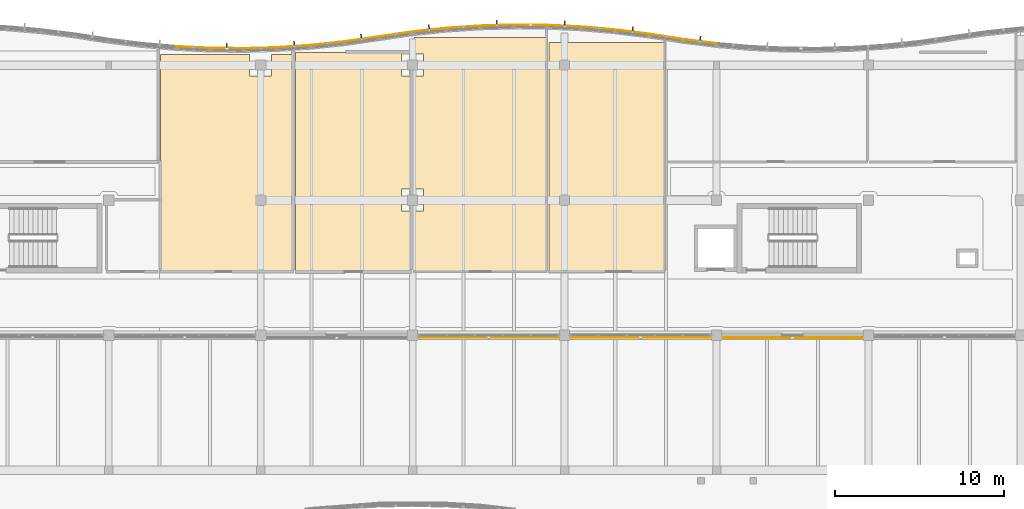
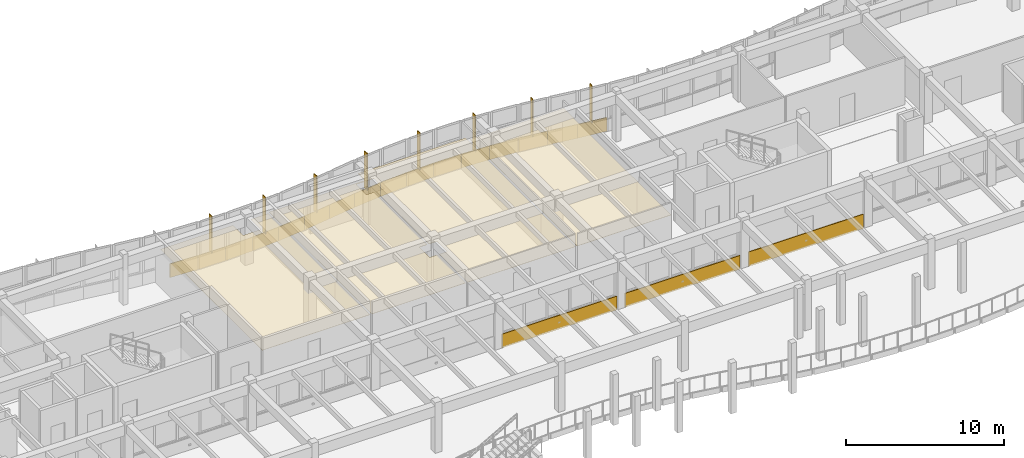
# One storey, part 84 of 89: 23 coverings, 8 shading devices.
"""IFC4 building model written with IfcOpenShell, lengths in metres."""

from ifc_helpers import new_model, si_unit, direction, frame, origin, origin_2d, place, context, subcontext, project, spatial, polyline, rectangle, outline, extrude, material, layer, layer_set, type_object, element, save


model = new_model("IFC4")

# Units and contexts
model_context = context("Model", 3, precision=1e-05, world=origin(), true_north=direction((0.0, 1.0)))
body_context = subcontext(model_context, "Body", "Model", "MODEL_VIEW")
ifc_project = project(units=[si_unit("LENGTHUNIT", "METRE"), si_unit("AREAUNIT", "SQUARE_METRE"), si_unit("VOLUMEUNIT", "CUBIC_METRE"), si_unit("PLANEANGLEUNIT", "RADIAN"), si_unit("MASSUNIT", "GRAM", prefix="KILO")], contexts=[model_context])

# Site, building, storey
site_placement = place(None, origin())
site = spatial("IfcSite", under=ifc_project, at=site_placement, CompositionType="ELEMENT")
building_placement = place(site_placement, origin())
building = spatial("IfcBuilding", under=site, at=building_placement, Name="Tonlespit Floodbar School", CompositionType="ELEMENT")
storey_placement = place(building_placement, frame((0.0, 0.0, 4.5)))
storey = spatial("IfcBuildingStorey", under=building, at=storey_placement, Name="L01", CompositionType="ELEMENT", Elevation=4.5)

# Coverings
ifc_material_1 = material(Name="Acoustic Mineral Tile")
ifc_layer_1 = layer(ifc_material_1, 0.02001953125)
ifc_layer_set_1 = layer_set([ifc_layer_1], Name="Acoustic Mineral Tile")
covering_type_1 = type_object("IfcCoveringType", Name="Ceiling_Acoustic_20", PredefinedType="CEILING", material=ifc_layer_set_1)
covering_1_placement = place(storey_placement, frame((0.0, 0.0, 2.64990234375)))
element("IfcCovering", 1, at=covering_1_placement, inside=storey, type_object=covering_type_1, Name="L01 Primary Classroom 103 acoustic ceiling", PredefinedType="CEILING", context=body_context, shape_type="SweptSolid", body=[
    extrude(outline(polyline([(71.64990234375, 119.35009765625), (71.64990234375, 120.64306640625), (72.929931640625, 120.64306640625), (72.929931640625, 107.77001953125), (65.070068359375, 107.77001953125), (65.070068359375, 120.64306640625), (70.35009765625, 120.64306640625), (70.35009765625, 119.35009765625), (71.64990234375, 119.35009765625)])), origin(), (0.0, 0.0, 1.0), 0.02001953125),
])
covering_2_placement = place(storey_placement, frame((0.0, 0.0, 2.64990234375)))
element("IfcCovering", 2, at=covering_2_placement, inside=storey, type_object=covering_type_1, Name="L01 Primary Classroom 104 acoustic ceiling", PredefinedType="CEILING", context=body_context, shape_type="SweptSolid", body=[
    extrude(outline(polyline([(79.929931640625, 120.64990234375), (79.35009765625, 120.64990234375), (79.35009765625, 119.35009765625), (79.929931640625, 119.35009765625), (79.929931640625, 112.64990234375), (79.35009765625, 112.64990234375), (79.35009765625, 111.35009765625), (79.929931640625, 111.35009765625), (79.929931640625, 107.77001953125), (73.070068359375, 107.77001953125), (73.070068359375, 120.758544921875), (79.929931640625, 120.758544921875), (79.929931640625, 120.64990234375)])), origin(), (0.0, 0.0, 1.0), 0.02001953125),
])
covering_3_placement = place(storey_placement, frame((0.0, 0.0, 2.64990234375)))
element("IfcCovering", 3, at=covering_3_placement, inside=storey, type_object=covering_type_1, Name="L01 Mathematics Seminar Room acoustic ceiling", PredefinedType="CEILING", context=body_context, shape_type="SweptSolid", body=[
    extrude(outline(polyline([(80.070068359375, 119.35009765625), (80.64990234375, 119.35009765625), (80.64990234375, 120.64990234375), (80.070068359375, 120.64990234375), (80.070068359375, 121.631591796875), (87.929931640625, 121.631591796875), (87.929931640625, 107.77001953125), (80.070068359375, 107.77001953125), (80.070068359375, 111.35009765625), (80.64990234375, 111.35009765625), (80.64990234375, 112.64990234375), (80.070068359375, 112.64990234375), (80.070068359375, 119.35009765625)])), origin(), (0.0, 0.0, 1.0), 0.02001953125),
])
covering_4_placement = place(storey_placement, frame((0.0, 0.0, 2.64990234375)))
element("IfcCovering", 4, at=covering_4_placement, inside=storey, type_object=covering_type_1, Name="L01 Primary Classroom 105 acoustic ceiling", PredefinedType="CEILING", context=body_context, shape_type="SweptSolid", body=[
    extrude(outline(polyline([(88.070068359375, 107.77001953125), (88.070068359375, 121.340087890625), (94.929931640625, 121.340087890625), (94.929931640625, 107.77001953125), (88.070068359375, 107.77001953125)])), origin(), (0.0, 0.0, 1.0), 0.02001953125),
])
ifc_material_2 = material(Name="White Architectural Aluminium", Category="aluminium")
ifc_layer_2 = layer(ifc_material_2, 0.050048828125)
ifc_layer_set_2 = layer_set([ifc_layer_2], Name="White Architectural Aluminium")
covering_type_2 = type_object("IfcCoveringType", Name="Cladding_WhiteBand_50", PredefinedType="CLADDING", material=ifc_layer_set_2)
covering_5_placement = place(storey_placement, frame((0.0, 0.0, -0.1201171875)))
element("IfcCovering", 5, at=covering_5_placement, inside=storey, type_object=covering_type_2, Name="L01 curved white spandrel cladding 0059", PredefinedType="CLADDING", context=body_context, shape_type="SweptSolid", body=[
    extrude(outline(polyline([(66.0048828125, 121.068359375), (68.0048828125, 120.97216796875), (68.007080078125, 121.02197265625), (66.007080078125, 121.118408203125), (66.0048828125, 121.068359375)])), origin(), (0.0, 0.0, 1.0), 1.070068359375),
])
covering_6_placement = place(storey_placement, frame((0.0, 0.0, -0.1201171875)))
element("IfcCovering", 6, at=covering_6_placement, inside=storey, type_object=covering_type_2, Name="L01 curved white spandrel cladding 0060", PredefinedType="CLADDING", context=body_context, shape_type="SweptSolid", body=[
    extrude(outline(polyline([(68.0009765625, 120.97216796875), (70.0009765625, 120.952880859375), (70.00146484375, 121.0029296875), (68.00146484375, 121.022216796875), (68.0009765625, 120.97216796875)])), origin(), (0.0, 0.0, 1.0), 1.070068359375),
])
covering_7_placement = place(storey_placement, frame((0.0, 0.0, -0.1201171875)))
element("IfcCovering", 7, at=covering_7_placement, inside=storey, type_object=covering_type_2, Name="L01 curved white spandrel cladding 0061", PredefinedType="CLADDING", context=body_context, shape_type="SweptSolid", body=[
    extrude(outline(polyline([(69.9970703125, 120.952880859375), (71.9970703125, 121.0107421875), (71.99560546875, 121.060791015625), (69.99560546875, 121.0029296875), (69.9970703125, 120.952880859375)])), origin(), (0.0, 0.0, 1.0), 1.070068359375),
])
covering_8_placement = place(storey_placement, frame((0.0, 0.0, -0.1201171875)))
element("IfcCovering", 8, at=covering_8_placement, inside=storey, type_object=covering_type_2, Name="L01 curved white spandrel cladding 0062", PredefinedType="CLADDING", context=body_context, shape_type="SweptSolid", body=[
    extrude(outline(polyline([(71.993408203125, 121.010498046875), (73.993408203125, 121.1455078125), (73.989990234375, 121.1953125), (71.989990234375, 121.060302734375), (71.993408203125, 121.010498046875)])), origin(), (0.0, 0.0, 1.0), 1.070068359375),
])
covering_9_placement = place(storey_placement, frame((0.0, 0.0, -0.1201171875)))
element("IfcCovering", 9, at=covering_9_placement, inside=storey, type_object=covering_type_2, Name="L01 curved white spandrel cladding 0063", PredefinedType="CLADDING", context=body_context, shape_type="SweptSolid", body=[
    extrude(outline(polyline([(73.989501953125, 121.14501953125), (75.989501953125, 121.35791015625), (75.984130859375, 121.407470703125), (73.984130859375, 121.19482421875), (73.989501953125, 121.14501953125)])), origin(), (0.0, 0.0, 1.0), 1.070068359375),
])
covering_10_placement = place(storey_placement, frame((0.0, 0.0, -0.1201171875)))
element("IfcCovering", 10, at=covering_10_placement, inside=storey, type_object=covering_type_2, Name="L01 curved white spandrel cladding 0064", PredefinedType="CLADDING", context=body_context, shape_type="SweptSolid", body=[
    extrude(outline(polyline([(75.985595703125, 121.357421875), (77.985595703125, 121.64892578125), (77.978515625, 121.698486328125), (75.978515625, 121.406982421875), (75.985595703125, 121.357421875)])), origin(), (0.0, 0.0, 1.0), 1.070068359375),
])
covering_11_placement = place(storey_placement, frame((0.0, 0.0, -0.1201171875)))
element("IfcCovering", 11, at=covering_11_placement, inside=storey, type_object=covering_type_2, Name="L01 curved white spandrel cladding 0065", PredefinedType="CLADDING", context=body_context, shape_type="SweptSolid", body=[
    extrude(outline(polyline([(77.985595703125, 121.64892578125), (79.985595703125, 121.940673828125), (79.978515625, 121.989990234375), (77.978515625, 121.698486328125), (77.985595703125, 121.64892578125)])), origin(), (0.0, 0.0, 1.0), 1.070068359375),
])
covering_12_placement = place(storey_placement, frame((0.0, 0.0, -0.1201171875)))
element("IfcCovering", 12, at=covering_12_placement, inside=storey, type_object=covering_type_2, Name="L01 curved white spandrel cladding 0066", PredefinedType="CLADDING", context=body_context, shape_type="SweptSolid", body=[
    extrude(outline(polyline([(79.989501953125, 121.94091796875), (81.989501953125, 122.15380859375), (81.984130859375, 122.203369140625), (79.984130859375, 121.99072265625), (79.989501953125, 121.94091796875)])), origin(), (0.0, 0.0, 1.0), 1.070068359375),
])
covering_13_placement = place(storey_placement, frame((0.0, 0.0, -0.1201171875)))
element("IfcCovering", 13, at=covering_13_placement, inside=storey, type_object=covering_type_2, Name="L01 curved white spandrel cladding 0067", PredefinedType="CLADDING", context=body_context, shape_type="SweptSolid", body=[
    extrude(outline(polyline([(81.993408203125, 122.154052734375), (83.993408203125, 122.2890625), (83.989990234375, 122.339111328125), (81.989990234375, 122.2041015625), (81.993408203125, 122.154052734375)])), origin(), (0.0, 0.0, 1.0), 1.070068359375),
])
covering_14_placement = place(storey_placement, frame((0.0, 0.0, -0.1201171875)))
element("IfcCovering", 14, at=covering_14_placement, inside=storey, type_object=covering_type_2, Name="L01 curved white spandrel cladding 0068", PredefinedType="CLADDING", context=body_context, shape_type="SweptSolid", body=[
    extrude(outline(polyline([(83.9970703125, 122.289306640625), (85.9970703125, 122.346923828125), (85.99560546875, 122.39697265625), (83.99560546875, 122.33935546875), (83.9970703125, 122.289306640625)])), origin(), (0.0, 0.0, 1.0), 1.070068359375),
])
covering_15_placement = place(storey_placement, frame((0.0, 0.0, -0.1201171875)))
element("IfcCovering", 15, at=covering_15_placement, inside=storey, type_object=covering_type_2, Name="L01 curved white spandrel cladding 0069", PredefinedType="CLADDING", context=body_context, shape_type="SweptSolid", body=[
    extrude(outline(polyline([(86.0009765625, 122.346923828125), (88.0009765625, 122.327880859375), (88.00146484375, 122.377685546875), (86.00146484375, 122.39697265625), (86.0009765625, 122.346923828125)])), origin(), (0.0, 0.0, 1.0), 1.070068359375),
])
covering_16_placement = place(storey_placement, frame((0.0, 0.0, -0.1201171875)))
element("IfcCovering", 16, at=covering_16_placement, inside=storey, type_object=covering_type_2, Name="L01 curved white spandrel cladding 0070", PredefinedType="CLADDING", context=body_context, shape_type="SweptSolid", body=[
    extrude(outline(polyline([(88.0048828125, 122.32763671875), (90.0048828125, 122.2314453125), (90.007080078125, 122.28125), (88.007080078125, 122.377685546875), (88.0048828125, 122.32763671875)])), origin(), (0.0, 0.0, 1.0), 1.070068359375),
])
covering_17_placement = place(storey_placement, frame((0.0, 0.0, -0.1201171875)))
element("IfcCovering", 17, at=covering_17_placement, inside=storey, type_object=covering_type_2, Name="L01 curved white spandrel cladding 0071", PredefinedType="CLADDING", context=body_context, shape_type="SweptSolid", body=[
    extrude(outline(polyline([(90.0087890625, 122.231201171875), (92.0087890625, 122.057373046875), (92.012939453125, 122.107177734375), (90.012939453125, 122.281005859375), (90.0087890625, 122.231201171875)])), origin(), (0.0, 0.0, 1.0), 1.070068359375),
])
covering_18_placement = place(storey_placement, frame((0.0, 0.0, -0.1201171875)))
element("IfcCovering", 18, at=covering_18_placement, inside=storey, type_object=covering_type_2, Name="L01 curved white spandrel cladding 0072", PredefinedType="CLADDING", context=body_context, shape_type="SweptSolid", body=[
    extrude(outline(polyline([(92.012451171875, 122.056884765625), (94.012451171875, 121.804931640625), (94.018798828125, 121.8544921875), (92.018798828125, 122.1064453125), (92.012451171875, 122.056884765625)])), origin(), (0.0, 0.0, 1.0), 1.070068359375),
])
covering_19_placement = place(storey_placement, frame((0.0, 0.0, -0.1201171875)))
element("IfcCovering", 19, at=covering_19_placement, inside=storey, type_object=covering_type_2, Name="L01 curved white spandrel cladding 0073", PredefinedType="CLADDING", context=body_context, shape_type="SweptSolid", body=[
    extrude(outline(polyline([(94.015380859375, 121.804443359375), (96.015380859375, 121.4931640625), (96.023193359375, 121.54248046875), (94.023193359375, 121.85400390625), (94.015380859375, 121.804443359375)])), origin(), (0.0, 0.0, 1.0), 1.070068359375),
])
covering_20_placement = place(storey_placement, frame((0.0, 0.0, -0.1201171875)))
element("IfcCovering", 20, at=covering_20_placement, inside=storey, type_object=covering_type_2, Name="L01 curved white spandrel cladding 0074", PredefinedType="CLADDING", context=body_context, shape_type="SweptSolid", body=[
    extrude(outline(polyline([(96.012451171875, 121.493408203125), (98.012451171875, 121.241455078125), (98.018798828125, 121.291015625), (96.018798828125, 121.543212890625), (96.012451171875, 121.493408203125)])), origin(), (0.0, 0.0, 1.0), 1.070068359375),
])
covering_21_placement = place(storey_placement, frame((0.0, 0.0, -0.1201171875)))
element("IfcCovering", 21, at=covering_21_placement, inside=storey, type_object=covering_type_2, Name="L01 curved white spandrel cladding 0085", PredefinedType="CLADDING", context=body_context, shape_type="SweptSolid", body=[
    extrude(outline(polyline([(106.699951171875, 103.8798828125), (98.300048828125, 103.8798828125), (98.300048828125, 103.830078125), (106.699951171875, 103.830078125), (106.699951171875, 103.8798828125)])), origin(), (0.0, 0.0, 1.0), 1.1201171875),
])
covering_22_placement = place(storey_placement, frame((0.0, 0.0, -0.1201171875)))
element("IfcCovering", 22, at=covering_22_placement, inside=storey, type_object=covering_type_2, Name="L01 curved white spandrel cladding 0086", PredefinedType="CLADDING", context=body_context, shape_type="SweptSolid", body=[
    extrude(outline(polyline([(97.699951171875, 103.89990234375), (89.300048828125, 103.89990234375), (89.300048828125, 103.85009765625), (97.699951171875, 103.85009765625), (97.699951171875, 103.89990234375)])), origin(), (0.0, 0.0, 1.0), 1.070068359375),
])
covering_23_placement = place(storey_placement, frame((0.0, 0.0, -0.1201171875)))
element("IfcCovering", 23, at=covering_23_placement, inside=storey, type_object=covering_type_2, Name="L01 curved white spandrel cladding 0087", PredefinedType="CLADDING", context=body_context, shape_type="SweptSolid", body=[
    extrude(outline(polyline([(88.699951171875, 103.89990234375), (80.300048828125, 103.89990234375), (80.300048828125, 103.85009765625), (88.699951171875, 103.85009765625), (88.699951171875, 103.89990234375)])), origin(), (0.0, 0.0, 1.0), 1.070068359375),
])

# Shading devices
ifc_material_3 = material(Name="Terracotta Anodised Aluminium", Category="masonry")
ifc_layer_3 = layer(ifc_material_3, 0.06005859375)
ifc_layer_set_3 = layer_set([ifc_layer_3], Name="Terracotta Anodised Aluminium")
shading_device_type = type_object("IfcShadingDeviceType", Name="Shading_SolarFin_350", PredefinedType="USERDEFINED", material=ifc_layer_set_3)
for number, where, z_axis, x_axis, name in (
    (24, (69.00244140625, 121.12255859375, 0.800048828125), (0.0, 0.0, 1.0), (0.999953926969, -0.009599163462, 0.0), "L01 vertical solar fin 024"),
    (25, (72.982421875, 121.237548828125, 0.800048828125), (0.0, 0.0, 1.0), (0.997729639049, 0.067346621018, 0.0), "L01 vertical solar fin 025"),
    (26, (76.96240234375, 121.66162109375, 0.800048828125), (0.0, 0.0, 1.0), (0.989537627347, 0.144275029245, 0.0), "L01 vertical solar fin 026"),
    (27, (80.972412109375, 122.20654296875, 0.800048828125), (0.0, 0.0, 1.0), (0.99439234017, 0.105753835922, 0.0), "L01 vertical solar fin 027"),
    (28, (84.992431640625, 122.47802734375, 0.800048828125), (0.0, 0.0, 1.0), (0.999584110869, 0.02883756748, 0.0), "L01 vertical solar fin 028"),
    (29, (89.012451171875, 122.439208984375, 0.800048828125), (0.0, 0.0, 1.0), (0.998842769234, -0.048094930587, 0.0), "L01 vertical solar fin 029"),
    (30, (93.032470703125, 122.089599609375, 0.800048828125), (0.0, 0.0, 1.0), (0.99215533612, -0.125011155539, 0.0), "L01 vertical solar fin 030"),
    (31, (97.032470703125, 121.5263671875, 0.800048828125), (0.0, 0.0, 1.0), (0.99215533612, -0.125011155539, 0.0), "L01 vertical solar fin 031"),
):
    element("IfcShadingDevice", number, at=place(storey_placement, frame(where, z_axis=z_axis, x_axis=x_axis)), inside=storey, type_object=shading_device_type, Name=name, ObjectType="SOLAR FIN", PredefinedType="USERDEFINED", context=body_context, shape_type="SweptSolid", body=[
        extrude(rectangle(XDim=0.06005859375, YDim=0.35009765625, at=origin_2d()), origin(), (0.0, 0.0, 1.0), 2.85009765625),
    ])

save(model, "model.ifc")
